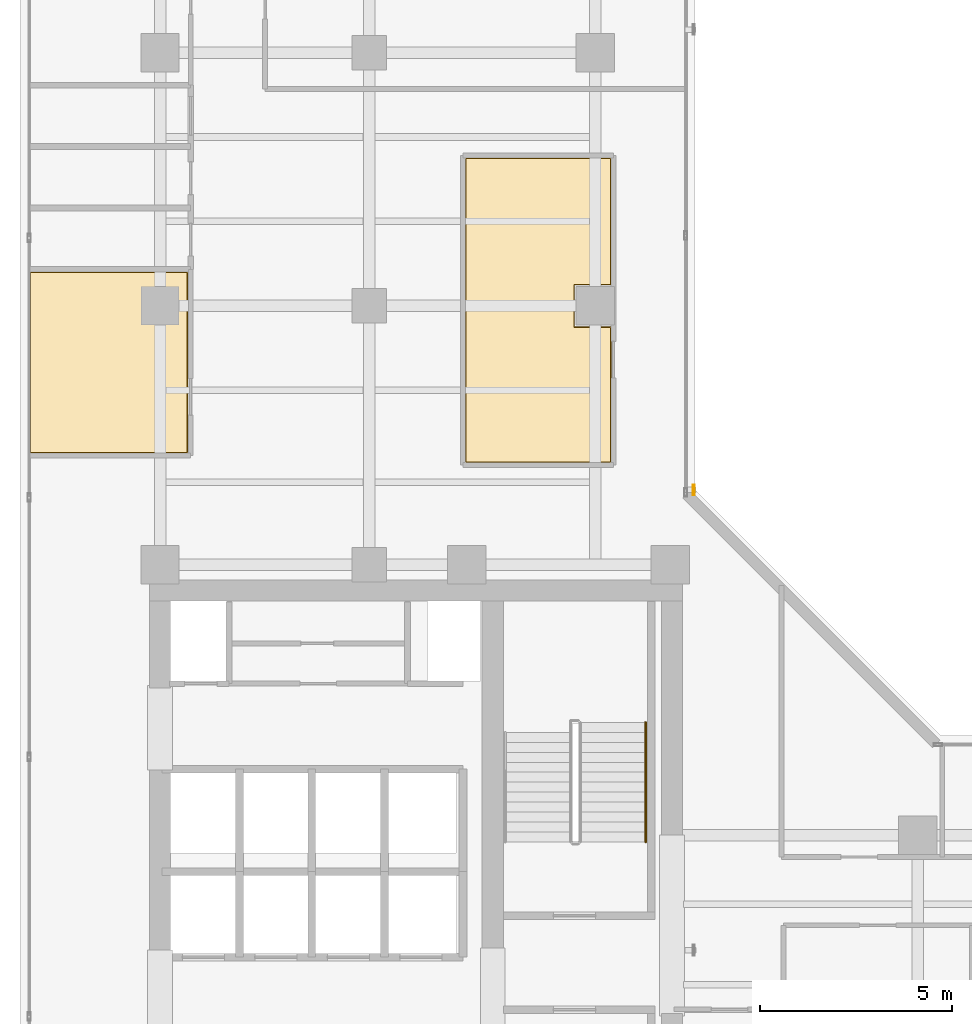
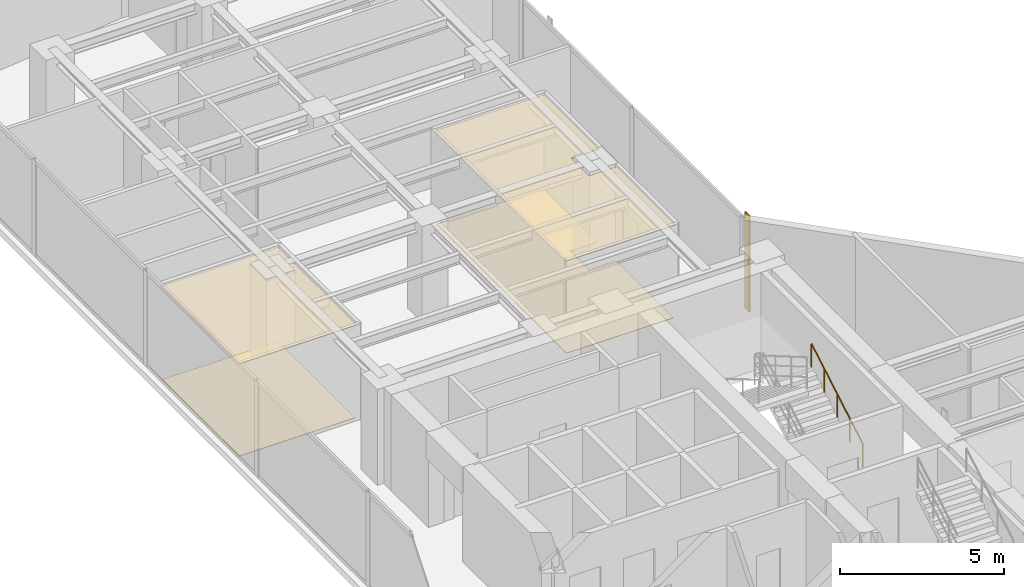
# One storey, part 21 of 23: 4 coverings, 1 railing, 1 shading device.
"""IFC4 building model written with IfcOpenShell, lengths in metres."""

from ifc_helpers import new_model, si_unit, direction, frame, origin, origin_2d, place, context, subcontext, project, spatial, polyline, hollow_rectangle, circle, outline, extrude, material, layer, layer_set, material_profile, profile_set, type_object, element, save


model = new_model("IFC4")

# Units and contexts
model_context = context("Model", 3, precision=1e-05, world=origin(), true_north=direction((0.0, 1.0)))
body_context = subcontext(model_context, "Body", "Model", "MODEL_VIEW")
ifc_project = project(units=[si_unit("LENGTHUNIT", "METRE"), si_unit("AREAUNIT", "SQUARE_METRE"), si_unit("VOLUMEUNIT", "CUBIC_METRE"), si_unit("PLANEANGLEUNIT", "RADIAN"), si_unit("MASSUNIT", "GRAM", prefix="KILO")], contexts=[model_context])

# Site, building, storey
site_placement = place(None, origin())
site = spatial("IfcSite", under=ifc_project, at=site_placement, CompositionType="ELEMENT")
building_placement = place(site_placement, origin())
building = spatial("IfcBuilding", under=site, at=building_placement, Name="Kolvaren Waterfront Exchange", CompositionType="ELEMENT")
storey_placement = place(building_placement, frame((0.0, 0.0, 212.10009765625)))
storey = spatial("IfcBuildingStorey", under=building, at=storey_placement, Name="L54", CompositionType="ELEMENT", Elevation=212.10009765625)

# Coverings
ifc_material_1 = material(Name="Mineral fibre acoustic ceiling tile")
ifc_layer_1 = layer(ifc_material_1, 0.02490234375, Name="Mineral fibre acoustic ceiling tile")
ifc_layer_set_1 = layer_set([ifc_layer_1], Name="Mineral fibre acoustic ceiling tile")
covering_type_1 = type_object("IfcCoveringType", Name="ARC-CEIL-ACOUSTIC-25", PredefinedType="CEILING", material=ifc_layer_set_1)
covering_1_placement = place(storey_placement, frame((0.0, 0.0, 3.44482421875)))
element("IfcCovering", 1, at=covering_1_placement, inside=storey, type_object=covering_type_1, Name="L54 acoustic suspended ceiling 1", PredefinedType="CEILING", context=body_context, shape_type="SweptSolid", body=[
    extrude(outline(polyline([(19.22509765625, 30.659912109375), (18.260009765625, 30.659912109375), (18.260009765625, 31.739990234375), (19.22509765625, 31.739990234375), (19.22509765625, 35.074951171875), (15.39501953125, 35.074951171875), (15.39501953125, 27.094970703125), (19.22509765625, 27.094970703125), (19.22509765625, 30.659912109375)])), origin(), (0.0, 0.0, 1.0), 0.025146484375),
])
covering_2_placement = place(storey_placement, frame((0.0, 0.0, 3.44482421875)))
element("IfcCovering", 2, at=covering_2_placement, inside=storey, type_object=covering_type_1, Name="L54 acoustic suspended ceiling 2", PredefinedType="CEILING", context=body_context, shape_type="SweptSolid", body=[
    extrude(outline(polyline([(8.18505859375, 27.344970703125), (8.18505859375, 32.10498046875), (4.044921875, 32.10498046875), (4.044921875, 27.344970703125), (8.18505859375, 27.344970703125)])), origin(), (0.0, 0.0, 1.0), 0.025146484375),
])

# Shading device
ifc_material_2 = material(Name="Anodised bronze aluminium 6063-T6", Category="aluminium")
ifc_material_profile = material_profile(ifc_material_2, hollow_rectangle(XDim=0.054931640625, YDim=0.280029296875, WallThickness=0.00439453125, at=origin_2d()), Name="BRZ-FIN-280x55x4.5")
ifc_profile_set = profile_set([ifc_material_profile], Name="Anodised bronze aluminium 6063-T6")
shading_device_type = type_object("IfcShadingDeviceType", Name="ARC-FIN-280", PredefinedType="USERDEFINED", material=ifc_profile_set)
shading_device_placement = place(storey_placement, frame((21.360107421875, 26.39990234375, 0.0), z_axis=(0.0, 0.0, 1.0), x_axis=(1.0, 0.0, 0.0)))
element("IfcShadingDevice", 3, at=shading_device_placement, inside=storey, type_object=shading_device_type, Name="L54 anodised bronze solar shading fin FIN-L54-E2", ObjectType="SOLAR FIN", PredefinedType="USERDEFINED", context=body_context, shape_type="SweptSolid", body=[
    extrude(hollow_rectangle(XDim=0.054931640625, YDim=0.280029296875, WallThickness=0.00439453125, at=origin_2d()), origin(), (0.0, 0.0, 1.0), 3.559814453125),
])

# Coverings
ifc_material_3 = material(Name="Slip-resistant porcelain tile")
ifc_layer_2 = layer(ifc_material_3, 0.014892578125, Name="Slip-resistant porcelain tile")
ifc_layer_set_2 = layer_set([ifc_layer_2], Name="Slip-resistant porcelain tile")
covering_type_2 = type_object("IfcCoveringType", Name="ARC-FLR-PORC-15", PredefinedType="FLOORING", material=ifc_layer_set_2)
covering_3_placement = place(storey_placement, origin())
element("IfcCovering", 4, at=covering_3_placement, inside=storey, type_object=covering_type_2, Name="L54 floor finish 1", PredefinedType="FLOORING", context=body_context, shape_type="SweptSolid", body=[
    extrude(outline(polyline([(15.429931640625, 35.0400390625), (15.429931640625, 27.1298828125), (19.18994140625, 27.1298828125), (19.18994140625, 30.639892578125), (18.239990234375, 30.639892578125), (18.239990234375, 31.760009765625), (19.18994140625, 31.760009765625), (19.18994140625, 35.0400390625), (15.429931640625, 35.0400390625)])), origin(), (0.0, 0.0, 1.0), 0.014892578125),
])
covering_4_placement = place(storey_placement, origin())
element("IfcCovering", 5, at=covering_4_placement, inside=storey, type_object=covering_type_2, Name="L54 floor finish 2", PredefinedType="FLOORING", context=body_context, shape_type="SweptSolid", body=[
    extrude(outline(polyline([(4.080078125, 32.070068359375), (4.080078125, 27.3798828125), (8.14990234375, 27.3798828125), (8.14990234375, 32.070068359375), (4.080078125, 32.070068359375)])), origin(), (0.0, 0.0, 1.0), 0.014892578125),
])

# Railing
ifc_material_4 = material(Name="Stainless steel 316", Category="steel")
railing_type = type_object("IfcRailingType", Name="ARC-HANDRAIL-900", PredefinedType="HANDRAIL", material=ifc_material_4)
railing_placement = place(storey_placement, frame((20.110107421875, 17.219970703125, 0.15185546875)))
element("IfcRailing", 6, at=railing_placement, inside=storey, type_object=railing_type, Name="L54 ST2 stair handrail 1", PredefinedType="HANDRAIL", context=body_context, shape_type="SweptSolid", body=[
    extrude(circle(Radius=0.02392578125, at=origin_2d()), frame((0.0, 0.0, 0.8759765625), z_axis=(0.0, 0.86330811405, 0.504677223793), x_axis=(-1.0, 0.0, 0.0)), (0.0, 0.0, 1.0), 3.6142578125),
    extrude(circle(Radius=0.02099609375, at=origin_2d()), origin(), (0.0, 0.0, 1.0), 0.851806640625),
    extrude(circle(Radius=0.02099609375, at=origin_2d()), frame((0.0, 0.780029296875, 0.4560546875)), (0.0, 0.0, 1.0), 0.851806640625),
    extrude(circle(Radius=0.02099609375, at=origin_2d()), frame((0.0, 1.56005859375, 0.912109375)), (0.0, 0.0, 1.0), 0.851806640625),
    extrude(circle(Radius=0.02099609375, at=origin_2d()), frame((0.0, 2.340087890625, 1.367919921875)), (0.0, 0.0, 1.0), 0.851806640625),
    extrude(circle(Radius=0.02099609375, at=origin_2d()), frame((0.0, 3.1201171875, 1.823974609375)), (0.0, 0.0, 1.0), 0.851806640625),
])

save(model, "model.ifc")
